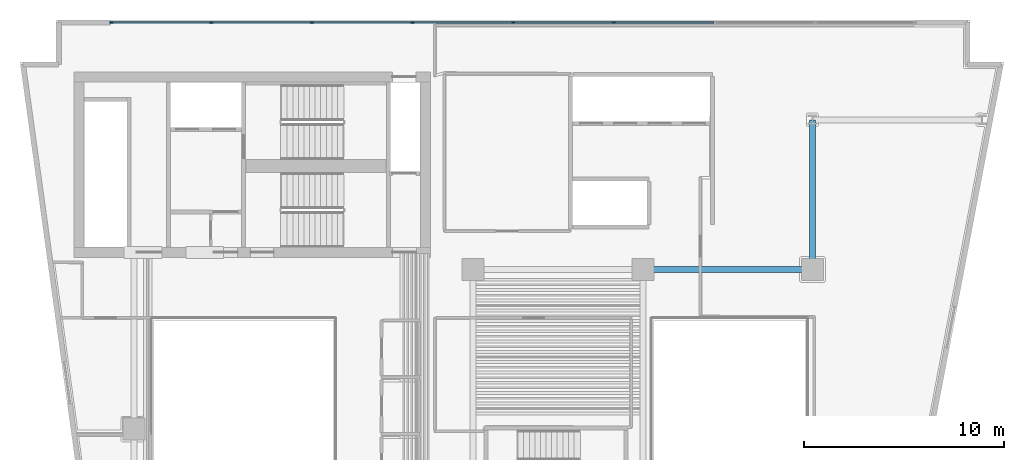
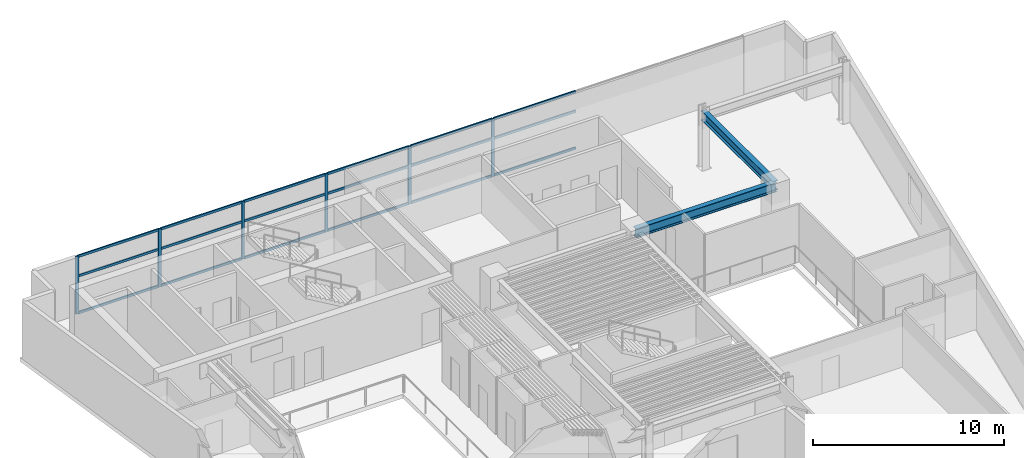
# One storey, part 3 of 13: 24 members, 2 beams, 1 element without a shape of its own.
"""IFC4 building model written with IfcOpenShell, lengths in metres."""

from ifc_helpers import new_model, si_unit, direction, frame, origin, origin_2d, place, context, subcontext, project, spatial, rectangle, i_section, extrude, material, layer, layer_set, material_profile, profile_set, type_object, element, aggregate, save


model = new_model("IFC4")

# Units and contexts
model_context = context("Model", 3, precision=1e-05, world=origin(), true_north=direction((0.0, 1.0)))
body_context = subcontext(model_context, "Body", "Model", "MODEL_VIEW")
ifc_project = project(units=[si_unit("LENGTHUNIT", "METRE"), si_unit("AREAUNIT", "SQUARE_METRE"), si_unit("VOLUMEUNIT", "CUBIC_METRE"), si_unit("PLANEANGLEUNIT", "RADIAN"), si_unit("MASSUNIT", "GRAM", prefix="KILO")], contexts=[model_context])

# Site, building, storey
site_placement = place(None, origin())
site = spatial("IfcSite", under=ifc_project, at=site_placement, CompositionType="ELEMENT")
building_placement = place(site_placement, origin())
building = spatial("IfcBuilding", under=site, at=building_placement, Name="Caeloran Harvest Quay", CompositionType="ELEMENT")
storey_placement = place(building_placement, frame((0.0, 0.0, 131.14990234375)))
storey = spatial("IfcBuildingStorey", under=building, at=storey_placement, Name="L30", CompositionType="ELEMENT", Elevation=131.14990234375)

# Beams
ifc_material_1 = material(Name="Steel S355J2", Category="steel")
ifc_material_profile_1 = material_profile(ifc_material_1, i_section(OverallWidth=0.300048828125, OverallDepth=0.60009765625, WebThickness=0.015380859375, FlangeThickness=0.030029296875, FilletRadius=0.027099609375, at=origin_2d()), Name="HE 600 B")
ifc_profile_set_1 = profile_set([ifc_material_profile_1], Name="Steel S355J2")
beam_type = type_object("IfcBeamType", Name="BM-PG-3-HE_600_B", PredefinedType="BEAM", material=ifc_profile_set_1)
beam_1_placement = place(storey_placement, frame((34.0, 31.0, 3.39013671875), z_axis=(1.0, 0.0, 0.0), x_axis=(0.0, 1.0, 0.0)))
element("IfcBeam", 1, at=beam_1_placement, inside=storey, type_object=beam_type, Name="L30 Primary East-West Girder Y=31.0", PredefinedType="BEAM", context=body_context, shape_type="SweptSolid", body=[
    extrude(i_section(OverallWidth=0.300048828125, OverallDepth=0.60009765625, WebThickness=0.015380859375, FlangeThickness=0.030029296875, FilletRadius=0.027099609375, at=origin_2d()), origin(), (0.0, 0.0, 1.0), 8.5),
])
beam_2_placement = place(storey_placement, frame((42.5, 31.0, 3.39013671875), z_axis=(0.0, 1.0, 0.0), x_axis=(-1.0, 0.0, 0.0)))
element("IfcBeam", 2, at=beam_2_placement, inside=storey, type_object=beam_type, Name="L30 Primary North-South Girder X=42.5", PredefinedType="BEAM", context=body_context, shape_type="SweptSolid", body=[
    extrude(i_section(OverallWidth=0.300048828125, OverallDepth=0.60009765625, WebThickness=0.015380859375, FlangeThickness=0.030029296875, FilletRadius=0.027099609375, at=origin_2d()), origin(), (0.0, 0.0, 1.0), 7.5),
])

# Curtain wall, members
ifc_material_2 = material(Name="Aluminium 6063-T6 and Low-E Glazing", Category="aluminium")
ifc_layer = layer(ifc_material_2, 0.18994140625, Name="Aluminium 6063-T6 and Low-E Glazing")
ifc_layer_set = layer_set([ifc_layer], Name="Aluminium 6063-T6 and Low-E Glazing")
curtain_wall_type = type_object("IfcCurtainWallType", Name="CW-SYS-CW-3", PredefinedType="USERDEFINED", material=ifc_layer_set)
curtain_wall_placement = place(storey_placement, origin())
curtain_wall = element("IfcCurtainWall", 3, at=curtain_wall_placement, inside=storey, type_object=curtain_wall_type, Name="L30 Unitised Curtain Wall CW-3 Run 6", ObjectType="CURTAIN_WALL", PredefinedType="USERDEFINED")
ifc_material_3 = material(Name="Aluminium 6063-T6", Category="aluminium")
ifc_material_profile_2 = material_profile(ifc_material_3, rectangle(XDim=0.080078125, YDim=0.179931640625, at=origin_2d()), Name="CW-MULLION-180")
ifc_profile_set_2 = profile_set([ifc_material_profile_2], Name="Aluminium 6063-T6")
member_type_1 = type_object("IfcMemberType", Name="CW-MULLION-180", PredefinedType="MULLION", material=ifc_profile_set_2)
member_1_placement = place(storey_placement, frame((7.3701171875, 43.3701171875, 0.0), z_axis=(0.0, 0.0, 1.0), x_axis=(0.0, 1.0, 0.0)))
member_1 = element("IfcMember", 4, at=member_1_placement, type_object=member_type_1, Name="CW-3 mullion 1", PredefinedType="MULLION", context=body_context, shape_type="SweptSolid", body=[
    extrude(rectangle(XDim=0.080078125, YDim=0.179931640625, at=origin_2d()), origin(), (0.0, 0.0, 1.0), 3.690185546875),
])
member_2_placement = place(storey_placement, frame((12.37255859375, 43.3701171875, 0.0), z_axis=(0.0, 0.0, 1.0), x_axis=(0.0, 1.0, 0.0)))
member_2 = element("IfcMember", 5, at=member_2_placement, type_object=member_type_1, Name="CW-3 mullion 2", PredefinedType="MULLION", context=body_context, shape_type="SweptSolid", body=[
    extrude(rectangle(XDim=0.080078125, YDim=0.179931640625, at=origin_2d()), origin(), (0.0, 0.0, 1.0), 3.690185546875),
])
member_3_placement = place(storey_placement, frame((17.4150390625, 43.3701171875, 0.0), z_axis=(0.0, 0.0, 1.0), x_axis=(0.0, 1.0, 0.0)))
member_3 = element("IfcMember", 6, at=member_3_placement, type_object=member_type_1, Name="CW-3 mullion 3", PredefinedType="MULLION", context=body_context, shape_type="SweptSolid", body=[
    extrude(rectangle(XDim=0.080078125, YDim=0.179931640625, at=origin_2d()), origin(), (0.0, 0.0, 1.0), 3.690185546875),
])
member_4_placement = place(storey_placement, frame((22.45751953125, 43.3701171875, 0.0), z_axis=(0.0, 0.0, 1.0), x_axis=(0.0, 1.0, 0.0)))
member_4 = element("IfcMember", 7, at=member_4_placement, type_object=member_type_1, Name="CW-3 mullion 4", PredefinedType="MULLION", context=body_context, shape_type="SweptSolid", body=[
    extrude(rectangle(XDim=0.080078125, YDim=0.179931640625, at=origin_2d()), origin(), (0.0, 0.0, 1.0), 3.690185546875),
])
member_5_placement = place(storey_placement, frame((27.5, 43.3701171875, 0.0), z_axis=(0.0, 0.0, 1.0), x_axis=(0.0, 1.0, 0.0)))
member_5 = element("IfcMember", 8, at=member_5_placement, type_object=member_type_1, Name="CW-3 mullion 5", PredefinedType="MULLION", context=body_context, shape_type="SweptSolid", body=[
    extrude(rectangle(XDim=0.080078125, YDim=0.179931640625, at=origin_2d()), origin(), (0.0, 0.0, 1.0), 3.690185546875),
])
member_6_placement = place(storey_placement, frame((32.54248046875, 43.3701171875, 0.0), z_axis=(0.0, 0.0, 1.0), x_axis=(0.0, 1.0, 0.0)))
member_6 = element("IfcMember", 9, at=member_6_placement, type_object=member_type_1, Name="CW-3 mullion 6", PredefinedType="MULLION", context=body_context, shape_type="SweptSolid", body=[
    extrude(rectangle(XDim=0.080078125, YDim=0.179931640625, at=origin_2d()), origin(), (0.0, 0.0, 1.0), 3.690185546875),
])
ifc_material_profile_3 = material_profile(ifc_material_3, rectangle(XDim=0.080078125, YDim=0.14990234375, at=origin_2d()), Name="CW-TRANSOM-150")
ifc_profile_set_3 = profile_set([ifc_material_profile_3], Name="Aluminium 6063-T6")
member_type_2 = type_object("IfcMemberType", Name="CW-TRANSOM-150", PredefinedType="USERDEFINED", material=ifc_profile_set_3)
member_7_placement = place(storey_placement, frame((7.409912109375, 43.3701171875, 0.0400390625), z_axis=(1.0, 0.0, 0.0), x_axis=(0.0, 1.0, 0.0)))
member_7 = element("IfcMember", 10, at=member_7_placement, type_object=member_type_2, Name="CW-3 transom 1.1", ObjectType="TRANSOM", PredefinedType="USERDEFINED", context=body_context, shape_type="SweptSolid", body=[
    extrude(rectangle(XDim=0.080078125, YDim=0.14990234375, at=origin_2d()), origin(), (0.0, 0.0, 1.0), 4.922607421875),
])
member_8_placement = place(storey_placement, frame((7.409912109375, 43.3701171875, 2.400146484375), z_axis=(1.0, 0.0, 0.0), x_axis=(0.0, 1.0, 0.0)))
member_8 = element("IfcMember", 11, at=member_8_placement, type_object=member_type_2, Name="CW-3 transom 1.2", ObjectType="TRANSOM", PredefinedType="USERDEFINED", context=body_context, shape_type="SweptSolid", body=[
    extrude(rectangle(XDim=0.080078125, YDim=0.14990234375, at=origin_2d()), origin(), (0.0, 0.0, 1.0), 4.922607421875),
])
member_9_placement = place(storey_placement, frame((7.409912109375, 43.3701171875, 3.650146484375), z_axis=(1.0, 0.0, 0.0), x_axis=(0.0, 1.0, 0.0)))
member_9 = element("IfcMember", 12, at=member_9_placement, type_object=member_type_2, Name="CW-3 transom 1.3", ObjectType="TRANSOM", PredefinedType="USERDEFINED", context=body_context, shape_type="SweptSolid", body=[
    extrude(rectangle(XDim=0.080078125, YDim=0.14990234375, at=origin_2d()), origin(), (0.0, 0.0, 1.0), 4.922607421875),
])
member_10_placement = place(storey_placement, frame((12.41259765625, 43.3701171875, 0.0400390625), z_axis=(1.0, 0.0, 0.0), x_axis=(0.0, 1.0, 0.0)))
member_10 = element("IfcMember", 13, at=member_10_placement, type_object=member_type_2, Name="CW-3 transom 2.1", ObjectType="TRANSOM", PredefinedType="USERDEFINED", context=body_context, shape_type="SweptSolid", body=[
    extrude(rectangle(XDim=0.080078125, YDim=0.14990234375, at=origin_2d()), origin(), (0.0, 0.0, 1.0), 4.96240234375),
])
member_11_placement = place(storey_placement, frame((12.41259765625, 43.3701171875, 2.400146484375), z_axis=(1.0, 0.0, 0.0), x_axis=(0.0, 1.0, 0.0)))
member_11 = element("IfcMember", 14, at=member_11_placement, type_object=member_type_2, Name="CW-3 transom 2.2", ObjectType="TRANSOM", PredefinedType="USERDEFINED", context=body_context, shape_type="SweptSolid", body=[
    extrude(rectangle(XDim=0.080078125, YDim=0.14990234375, at=origin_2d()), origin(), (0.0, 0.0, 1.0), 4.96240234375),
])
member_12_placement = place(storey_placement, frame((12.41259765625, 43.3701171875, 3.650146484375), z_axis=(1.0, 0.0, 0.0), x_axis=(0.0, 1.0, 0.0)))
member_12 = element("IfcMember", 15, at=member_12_placement, type_object=member_type_2, Name="CW-3 transom 2.3", ObjectType="TRANSOM", PredefinedType="USERDEFINED", context=body_context, shape_type="SweptSolid", body=[
    extrude(rectangle(XDim=0.080078125, YDim=0.14990234375, at=origin_2d()), origin(), (0.0, 0.0, 1.0), 4.96240234375),
])
member_13_placement = place(storey_placement, frame((17.455078125, 43.3701171875, 0.0400390625), z_axis=(1.0, 0.0, 0.0), x_axis=(0.0, 1.0, 0.0)))
member_13 = element("IfcMember", 16, at=member_13_placement, type_object=member_type_2, Name="CW-3 transom 3.1", ObjectType="TRANSOM", PredefinedType="USERDEFINED", context=body_context, shape_type="SweptSolid", body=[
    extrude(rectangle(XDim=0.080078125, YDim=0.14990234375, at=origin_2d()), origin(), (0.0, 0.0, 1.0), 4.96240234375),
])
member_14_placement = place(storey_placement, frame((17.455078125, 43.3701171875, 2.400146484375), z_axis=(1.0, 0.0, 0.0), x_axis=(0.0, 1.0, 0.0)))
member_14 = element("IfcMember", 17, at=member_14_placement, type_object=member_type_2, Name="CW-3 transom 3.2", ObjectType="TRANSOM", PredefinedType="USERDEFINED", context=body_context, shape_type="SweptSolid", body=[
    extrude(rectangle(XDim=0.080078125, YDim=0.14990234375, at=origin_2d()), origin(), (0.0, 0.0, 1.0), 4.96240234375),
])
member_15_placement = place(storey_placement, frame((17.455078125, 43.3701171875, 3.650146484375), z_axis=(1.0, 0.0, 0.0), x_axis=(0.0, 1.0, 0.0)))
member_15 = element("IfcMember", 18, at=member_15_placement, type_object=member_type_2, Name="CW-3 transom 3.3", ObjectType="TRANSOM", PredefinedType="USERDEFINED", context=body_context, shape_type="SweptSolid", body=[
    extrude(rectangle(XDim=0.080078125, YDim=0.14990234375, at=origin_2d()), origin(), (0.0, 0.0, 1.0), 4.96240234375),
])
member_16_placement = place(storey_placement, frame((22.49755859375, 43.3701171875, 0.0400390625), z_axis=(1.0, 0.0, 0.0), x_axis=(0.0, 1.0, 0.0)))
member_16 = element("IfcMember", 19, at=member_16_placement, type_object=member_type_2, Name="CW-3 transom 4.1", ObjectType="TRANSOM", PredefinedType="USERDEFINED", context=body_context, shape_type="SweptSolid", body=[
    extrude(rectangle(XDim=0.080078125, YDim=0.14990234375, at=origin_2d()), origin(), (0.0, 0.0, 1.0), 4.96240234375),
])
member_17_placement = place(storey_placement, frame((22.49755859375, 43.3701171875, 2.400146484375), z_axis=(1.0, 0.0, 0.0), x_axis=(0.0, 1.0, 0.0)))
member_17 = element("IfcMember", 20, at=member_17_placement, type_object=member_type_2, Name="CW-3 transom 4.2", ObjectType="TRANSOM", PredefinedType="USERDEFINED", context=body_context, shape_type="SweptSolid", body=[
    extrude(rectangle(XDim=0.080078125, YDim=0.14990234375, at=origin_2d()), origin(), (0.0, 0.0, 1.0), 4.96240234375),
])
member_18_placement = place(storey_placement, frame((22.49755859375, 43.3701171875, 3.650146484375), z_axis=(1.0, 0.0, 0.0), x_axis=(0.0, 1.0, 0.0)))
member_18 = element("IfcMember", 21, at=member_18_placement, type_object=member_type_2, Name="CW-3 transom 4.3", ObjectType="TRANSOM", PredefinedType="USERDEFINED", context=body_context, shape_type="SweptSolid", body=[
    extrude(rectangle(XDim=0.080078125, YDim=0.14990234375, at=origin_2d()), origin(), (0.0, 0.0, 1.0), 4.96240234375),
])
member_19_placement = place(storey_placement, frame((27.5400390625, 43.3701171875, 0.0400390625), z_axis=(1.0, 0.0, 0.0), x_axis=(0.0, 1.0, 0.0)))
member_19 = element("IfcMember", 22, at=member_19_placement, type_object=member_type_2, Name="CW-3 transom 5.1", ObjectType="TRANSOM", PredefinedType="USERDEFINED", context=body_context, shape_type="SweptSolid", body=[
    extrude(rectangle(XDim=0.080078125, YDim=0.14990234375, at=origin_2d()), origin(), (0.0, 0.0, 1.0), 4.96240234375),
])
member_20_placement = place(storey_placement, frame((27.5400390625, 43.3701171875, 2.400146484375), z_axis=(1.0, 0.0, 0.0), x_axis=(0.0, 1.0, 0.0)))
member_20 = element("IfcMember", 23, at=member_20_placement, type_object=member_type_2, Name="CW-3 transom 5.2", ObjectType="TRANSOM", PredefinedType="USERDEFINED", context=body_context, shape_type="SweptSolid", body=[
    extrude(rectangle(XDim=0.080078125, YDim=0.14990234375, at=origin_2d()), origin(), (0.0, 0.0, 1.0), 4.96240234375),
])
member_21_placement = place(storey_placement, frame((27.5400390625, 43.3701171875, 3.650146484375), z_axis=(1.0, 0.0, 0.0), x_axis=(0.0, 1.0, 0.0)))
member_21 = element("IfcMember", 24, at=member_21_placement, type_object=member_type_2, Name="CW-3 transom 5.3", ObjectType="TRANSOM", PredefinedType="USERDEFINED", context=body_context, shape_type="SweptSolid", body=[
    extrude(rectangle(XDim=0.080078125, YDim=0.14990234375, at=origin_2d()), origin(), (0.0, 0.0, 1.0), 4.96240234375),
])
member_22_placement = place(storey_placement, frame((32.58251953125, 43.3701171875, 0.0400390625), z_axis=(1.0, 0.0, 0.0), x_axis=(0.0, 1.0, 0.0)))
member_22 = element("IfcMember", 25, at=member_22_placement, type_object=member_type_2, Name="CW-3 transom 6.1", ObjectType="TRANSOM", PredefinedType="USERDEFINED", context=body_context, shape_type="SweptSolid", body=[
    extrude(rectangle(XDim=0.080078125, YDim=0.14990234375, at=origin_2d()), origin(), (0.0, 0.0, 1.0), 4.96240234375),
])
member_23_placement = place(storey_placement, frame((32.58251953125, 43.3701171875, 2.400146484375), z_axis=(1.0, 0.0, 0.0), x_axis=(0.0, 1.0, 0.0)))
member_23 = element("IfcMember", 26, at=member_23_placement, type_object=member_type_2, Name="CW-3 transom 6.2", ObjectType="TRANSOM", PredefinedType="USERDEFINED", context=body_context, shape_type="SweptSolid", body=[
    extrude(rectangle(XDim=0.080078125, YDim=0.14990234375, at=origin_2d()), origin(), (0.0, 0.0, 1.0), 4.96240234375),
])
member_24_placement = place(storey_placement, frame((32.58251953125, 43.3701171875, 3.650146484375), z_axis=(1.0, 0.0, 0.0), x_axis=(0.0, 1.0, 0.0)))
member_24 = element("IfcMember", 27, at=member_24_placement, type_object=member_type_2, Name="CW-3 transom 6.3", ObjectType="TRANSOM", PredefinedType="USERDEFINED", context=body_context, shape_type="SweptSolid", body=[
    extrude(rectangle(XDim=0.080078125, YDim=0.14990234375, at=origin_2d()), origin(), (0.0, 0.0, 1.0), 4.96240234375),
])
aggregate(curtain_wall, [member_1, member_2, member_3, member_4, member_5, member_6, member_7, member_8, member_9, member_10, member_11, member_12, member_13, member_14, member_15, member_16, member_17, member_18, member_19, member_20, member_21, member_22, member_23, member_24])

save(model, "model.ifc")
